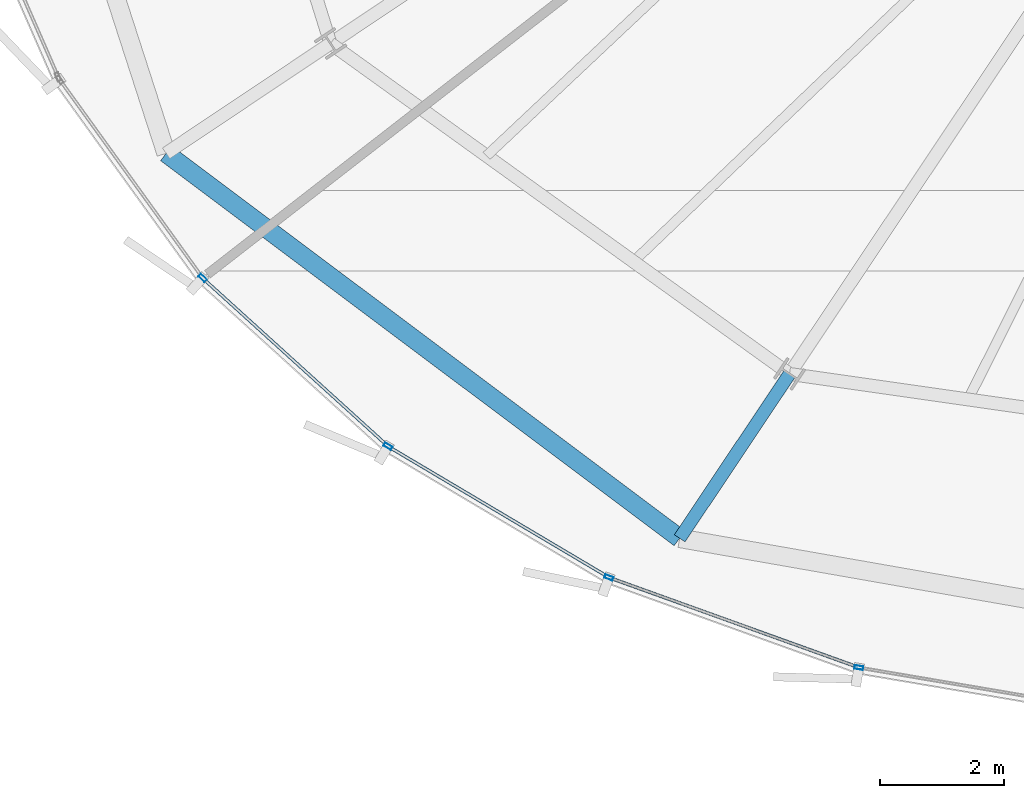
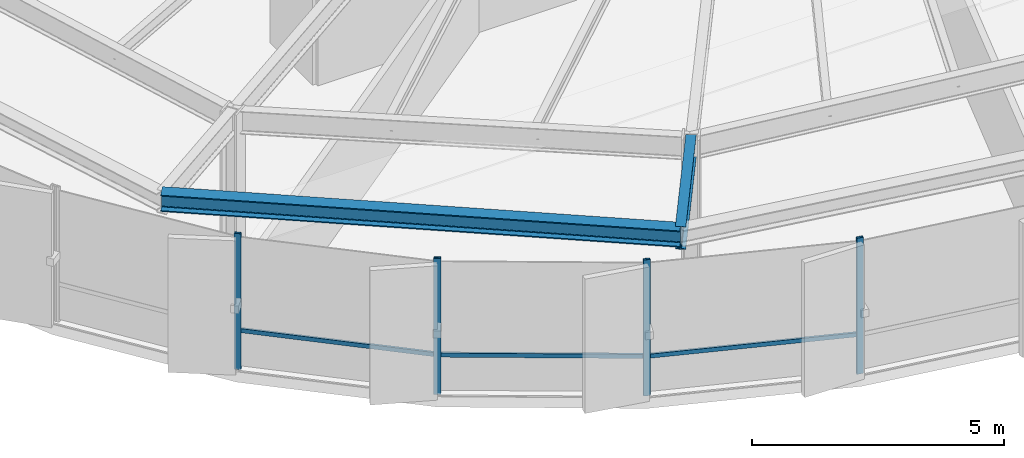
# One storey, part 2 of 34: 7 members, 2 beams, 1 element without a shape of its own.
"""IFC4 building model written with IfcOpenShell, lengths in metres."""

from ifc_helpers import new_model, si_unit, direction, frame, origin, origin_2d, place, context, subcontext, project, spatial, hollow_rectangle, i_section, extrude, source, transform, mapped, material, layer, layer_set, material_profile, profile_set, type_object, element, aggregate, save


model = new_model("IFC4")

# Units and contexts
model_context = context("Model", 3, precision=1e-05, world=origin(), true_north=direction((0.0, 1.0)))
body_context = subcontext(model_context, "Body", "Model", "MODEL_VIEW")
ifc_project = project(units=[si_unit("LENGTHUNIT", "METRE"), si_unit("AREAUNIT", "SQUARE_METRE"), si_unit("VOLUMEUNIT", "CUBIC_METRE"), si_unit("PLANEANGLEUNIT", "RADIAN"), si_unit("MASSUNIT", "GRAM", prefix="KILO"), si_unit("THERMODYNAMICTEMPERATUREUNIT", "KELVIN")], contexts=[model_context])

# Site, building, storey
site_placement = place(None, origin())
site = spatial("IfcSite", under=ifc_project, at=site_placement, CompositionType="ELEMENT")
building_placement = place(site_placement, origin())
building = spatial("IfcBuilding", under=site, at=building_placement, Name="Kethvar Cultural Tower", CompositionType="ELEMENT")
storey_placement = place(building_placement, frame((0.0, 0.0, 153.64990234375)))
storey = spatial("IfcBuildingStorey", under=building, at=storey_placement, Name="L39", CompositionType="ELEMENT", Elevation=153.64990234375)

# Beams
ifc_material_1 = material(Name="Steel S355J2", Category="steel")
ifc_material_profile_1 = material_profile(ifc_material_1, i_section(OverallWidth=0.2099609375, OverallDepth=0.550048828125, WebThickness=0.010986328125, FlangeThickness=0.01708984375, FilletRadius=0.02392578125, at=origin_2d()), Name="Steel S355J2 — IPE550")
ifc_profile_set_1 = profile_set([ifc_material_profile_1], Name="Steel S355J2 — IPE550")
beam_type_1 = type_object("IfcBeamType", Name="BM-IPE550", PredefinedType="BEAM", material=ifc_profile_set_1)
shared_shape_1 = source(origin(), body_context, "Body", "SweptSolid", [
    extrude(i_section(OverallWidth=0.2099609375, OverallDepth=0.550048828125, WebThickness=0.010986328125, FlangeThickness=0.01708984375, FilletRadius=0.02392578125, at=origin_2d()), origin(), (0.0, 0.0, 1.0), 3.199951171875),
])
beam_1_placement = place(storey_placement, frame((34.350830078125, 9.16845703125, 3.023193359375), z_axis=(-0.555580212716, -0.831462943996, 0.0), x_axis=(0.831462943996, -0.555580212716, 0.0)))
element("IfcBeam", 1, at=beam_1_placement, inside=storey, type_object=beam_type_1, Name="L39 Perimeter Cantilever Beam RC-11", PredefinedType="BEAM", context=body_context, shape_type="MappedRepresentation", body=[
    mapped(shared_shape_1, transform((0.0, 0.0, 0.0), scale=1.0)),
])
ifc_material_profile_2 = material_profile(ifc_material_1, i_section(OverallWidth=0.300048828125, OverallDepth=0.39990234375, WebThickness=0.013427734375, FlangeThickness=0.02392578125, FilletRadius=0.027099609375, at=origin_2d()), Name="Steel S355J2 — HEB400")
ifc_profile_set_2 = profile_set([ifc_material_profile_2], Name="Steel S355J2 — HEB400")
beam_type_2 = type_object("IfcBeamType", Name="BM-SP400", PredefinedType="SPANDREL", material=ifc_profile_set_2)
shared_shape_2 = source(origin(), body_context, "Body", "SweptSolid", [
    extrude(i_section(OverallWidth=0.300048828125, OverallDepth=0.39990234375, WebThickness=0.013427734375, FlangeThickness=0.02392578125, FilletRadius=0.027099609375, at=origin_2d()), origin(), (0.0, 0.0, 1.0), 10.38916015625),
])
beam_2_placement = place(storey_placement, frame((24.260009765625, 12.7392578125, 3.09814453125), z_axis=(0.800152249906, -0.599796946449, 0.0), x_axis=(0.599796946449, 0.800152249906, 0.0)))
element("IfcBeam", 2, at=beam_2_placement, inside=storey, type_object=beam_type_2, Name="L39 Perimeter Spandrel Beam SP-10", PredefinedType="SPANDREL", context=body_context, shape_type="MappedRepresentation", body=[
    mapped(shared_shape_2, transform((0.0, 0.0, 0.0), scale=1.0)),
])

# Curtain wall, members
ifc_material_2 = material(Name="Aluminium 6063-T6", Category="aluminium")
ifc_layer = layer(ifc_material_2, 0.179931640625, Name="Aluminium 6063-T6", Category="aluminium")
ifc_layer_set = layer_set([ifc_layer], Name="Aluminium 6063-T6 (180 mm)")
curtain_wall_type = type_object("IfcCurtainWallType", Name="CW-SYS-04-Z34", PredefinedType="NOTDEFINED", material=ifc_layer_set)
curtain_wall_placement = place(storey_placement, origin())
curtain_wall = element("IfcCurtainWall", 3, at=curtain_wall_placement, inside=storey, type_object=curtain_wall_type, Name="L39 Curtain Wall Run 04", PredefinedType="NOTDEFINED")
ifc_material_profile_3 = material_profile(ifc_material_2, hollow_rectangle(XDim=0.06005859375, YDim=0.139892578125, WallThickness=0.0048828125, at=origin_2d()), Name="Aluminium 6063-T6 — RHS140x60x5")
ifc_profile_set_3 = profile_set([ifc_material_profile_3], Name="Aluminium 6063-T6 — RHS140x60x5")
member_type_1 = type_object("IfcMemberType", Name="CW-SYS-04-Z34-MUL", PredefinedType="MULLION", material=ifc_profile_set_3)
shared_shape_3 = source(origin(), body_context, "Body", "SweptSolid", [
    extrude(hollow_rectangle(XDim=0.06005859375, YDim=0.139892578125, WallThickness=0.0048828125, at=origin_2d()), origin(), (0.0, 0.0, 1.0), 3.300048828125),
])
member_1_placement = place(storey_placement, frame((24.849365234375, 10.720458984375, 0.0), z_axis=(0.0, 0.0, 1.0), x_axis=(0.671720589323, 0.740804596287, 0.0)))
member_1 = element("IfcMember", 4, at=member_1_placement, type_object=member_type_1, Name="CW-L39-R04 Mullion 2", PredefinedType="MULLION", context=body_context, shape_type="MappedRepresentation", body=[
    mapped(shared_shape_3, transform((0.0, 0.0, 0.0), scale=1.0)),
])
member_2_placement = place(storey_placement, frame((27.85009765625, 7.99658203125, 0.0), z_axis=(0.0, 0.0, 1.0), x_axis=(0.510062606207, 0.860137278432, 0.0)))
member_2 = element("IfcMember", 5, at=member_2_placement, type_object=member_type_1, Name="CW-L39-R04 Mullion 3", PredefinedType="MULLION", context=body_context, shape_type="MappedRepresentation", body=[
    mapped(shared_shape_3, transform((0.0, 0.0, 0.0), scale=1.0)),
])
member_3_placement = place(storey_placement, frame((31.427490234375, 5.873046875, 0.0), z_axis=(0.0, 0.0, 1.0), x_axis=(0.338705077104, 0.940892592565, 0.0)))
member_3 = element("IfcMember", 6, at=member_3_placement, type_object=member_type_1, Name="CW-L39-R04 Mullion 4", PredefinedType="MULLION", context=body_context, shape_type="MappedRepresentation", body=[
    mapped(shared_shape_3, transform((0.0, 0.0, 0.0), scale=1.0)),
])
member_4_placement = place(storey_placement, frame((35.472900390625, 4.414794921875, 0.0), z_axis=(0.0, 0.0, 1.0), x_axis=(0.167525888066, 0.985867677139, 0.0)))
member_4 = element("IfcMember", 7, at=member_4_placement, type_object=member_type_1, Name="CW-L39-R04 Mullion 5", PredefinedType="MULLION", context=body_context, shape_type="MappedRepresentation", body=[
    mapped(shared_shape_3, transform((0.0, 0.0, 0.0), scale=1.0)),
])
ifc_material_profile_4 = material_profile(ifc_material_2, hollow_rectangle(XDim=0.050048828125, YDim=0.10009765625, WallThickness=0.00390625, at=origin_2d()), Name="Aluminium 6063-T6 — RHS100x50x4")
ifc_profile_set_4 = profile_set([ifc_material_profile_4], Name="Aluminium 6063-T6 — RHS100x50x4")
member_type_2 = type_object("IfcMemberType", Name="CW-SYS-04-Z34-TRN", PredefinedType="USERDEFINED", material=ifc_profile_set_4)
shared_shape_4 = source(origin(), body_context, "Body", "SweptSolid", [
    extrude(hollow_rectangle(XDim=0.050048828125, YDim=0.10009765625, WallThickness=0.00390625, at=origin_2d()), origin(), (0.0, 0.0, 1.0), 4.233154296875),
])
member_5_placement = place(storey_placement, frame((31.468017578125, 5.8583984375, 0.9501953125), z_axis=(0.940888147083, -0.338717426003, 0.0), x_axis=(0.338717426003, 0.940888147083, 0.0)))
member_5 = element("IfcMember", 8, at=member_5_placement, type_object=member_type_2, Name="CW-L39-R04 Transom 4", ObjectType="TRANSOM", PredefinedType="USERDEFINED", context=body_context, shape_type="MappedRepresentation", body=[
    mapped(shared_shape_4, transform((0.0, 0.0, 0.0), scale=1.0)),
])
shared_shape_5 = source(origin(), body_context, "Body", "SweptSolid", [
    extrude(hollow_rectangle(XDim=0.050048828125, YDim=0.10009765625, WallThickness=0.00390625, at=origin_2d()), origin(), (0.0, 0.0, 1.0), 3.98828125),
])
member_6_placement = place(storey_placement, frame((24.88134765625, 10.69140625, 0.9501953125), z_axis=(0.740817496705, -0.671706361869, 0.0), x_axis=(0.671706361869, 0.740817496705, 0.0)))
member_6 = element("IfcMember", 9, at=member_6_placement, type_object=member_type_2, Name="CW-L39-R04 Transom 2", ObjectType="TRANSOM", PredefinedType="USERDEFINED", context=body_context, shape_type="MappedRepresentation", body=[
    mapped(shared_shape_5, transform((0.0, 0.0, 0.0), scale=1.0)),
])
shared_shape_6 = source(origin(), body_context, "Body", "SweptSolid", [
    extrude(hollow_rectangle(XDim=0.050048828125, YDim=0.10009765625, WallThickness=0.00390625, at=origin_2d()), origin(), (0.0, 0.0, 1.0), 4.09423828125),
])
member_7_placement = place(storey_placement, frame((27.887451171875, 7.974609375, 0.9501953125), z_axis=(0.860096781899, -0.510130890817, 0.0), x_axis=(0.510130890817, 0.860096781899, 0.0)))
member_7 = element("IfcMember", 10, at=member_7_placement, type_object=member_type_2, Name="CW-L39-R04 Transom 3", ObjectType="TRANSOM", PredefinedType="USERDEFINED", context=body_context, shape_type="MappedRepresentation", body=[
    mapped(shared_shape_6, transform((0.0, 0.0, 0.0), scale=1.0)),
])
aggregate(curtain_wall, [member_1, member_2, member_3, member_4, member_6, member_7, member_5])

save(model, "model.ifc")
